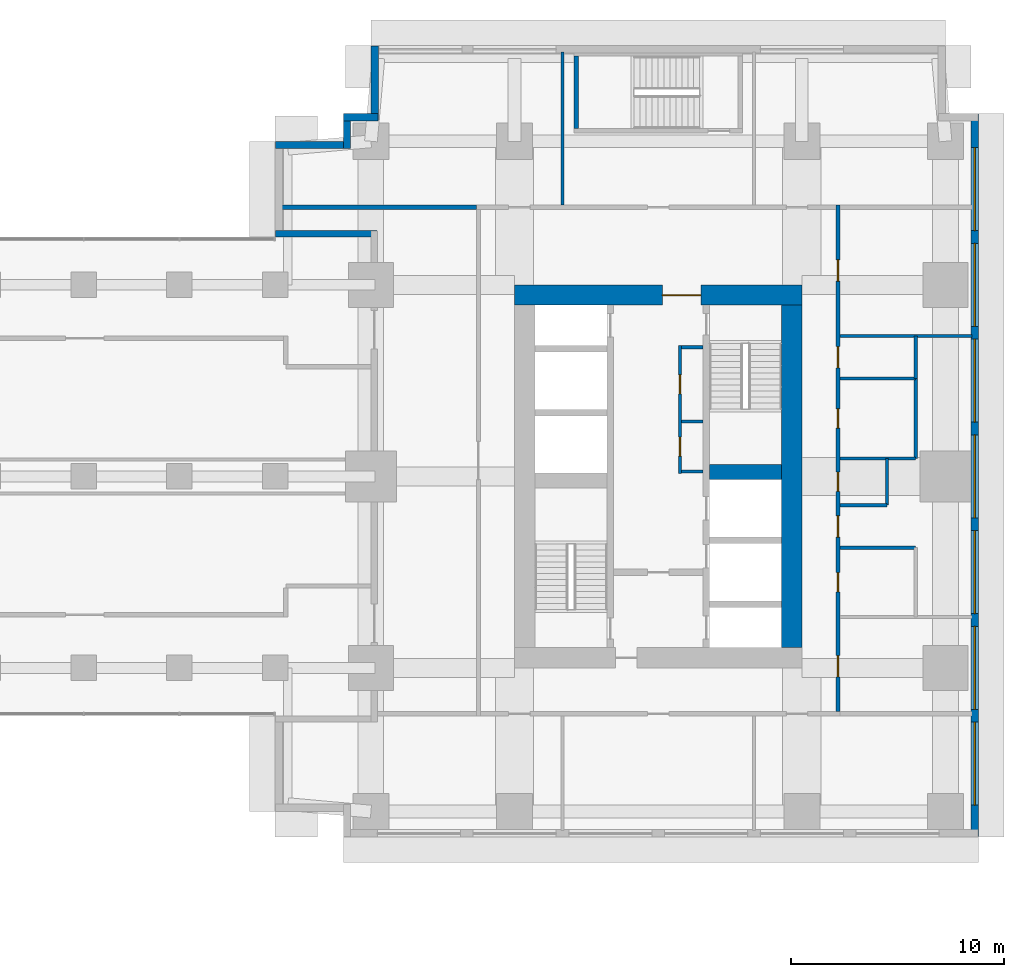
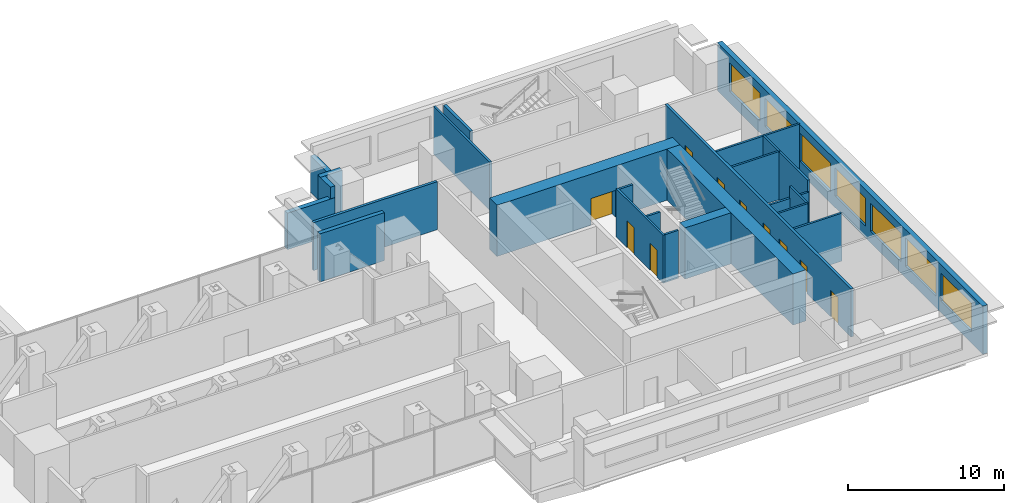
# One storey, part 11 of 15: 25 walls, 10 doors, 7 windows, 17 openings.
"""IFC4 building model written with IfcOpenShell, lengths in metres."""

from ifc_helpers import new_model, si_unit, direction, frame, frame_2d, origin, place, context, subcontext, project, spatial, rectangle, extrude, material, layer, layer_set, type_object, element, fill, save


model = new_model("IFC4")

# Units and contexts
model_context = context("Model", 3, precision=1e-05, world=origin(), true_north=direction((0.0, 1.0)))
body_context = subcontext(model_context, "Body", "Model", "MODEL_VIEW")
ifc_project = project(units=[si_unit("LENGTHUNIT", "METRE"), si_unit("AREAUNIT", "SQUARE_METRE"), si_unit("VOLUMEUNIT", "CUBIC_METRE"), si_unit("PLANEANGLEUNIT", "RADIAN"), si_unit("MASSUNIT", "GRAM", prefix="KILO")], contexts=[model_context])

# Site, building, storey
site_placement = place(None, origin())
site = spatial("IfcSite", under=ifc_project, at=site_placement, CompositionType="ELEMENT")
building_placement = place(site_placement, origin())
building = spatial("IfcBuilding", under=site, at=building_placement, Name="Namib Vertical Campus", CompositionType="ELEMENT")
storey_placement = place(building_placement, frame((0.0, 0.0, 109.0)))
storey = spatial("IfcBuildingStorey", under=building, at=storey_placement, Name="L25", CompositionType="ELEMENT", Elevation=109.0)

# Walls
ifc_material_1 = material(Name="Concrete C60/75", Category="concrete")
ifc_layer_1 = layer(ifc_material_1, 0.699951171875)
ifc_layer_set_1 = layer_set([ifc_layer_1], Name="Concrete C60/75")
wall_type_1 = type_object("IfcWallType", Name="Core shear wall 700", PredefinedType="SHEAR", material=ifc_layer_set_1)
wall_1_placement = place(storey_placement, frame((83.39990234375, 20.449951171875, 0.0), z_axis=(0.0, 0.0, 1.0), x_axis=(1.0, 0.0, 0.0)))
element("IfcWall", 1, at=wall_1_placement, inside=storey, type_object=wall_type_1, Name="Core shear wall B L25 W7", PredefinedType="SHEAR", context=body_context, shape_type="SweptSolid", body=[
    extrude(rectangle(XDim=3.400146484375, YDim=0.699951171875, at=frame_2d((1.7001953125, 0.0))), origin(), (0.0, 0.0, 1.0), 4.0),
])
ifc_material_2 = material(Name="Concrete C60/75", Category="concrete")
ifc_layer_2 = layer(ifc_material_2, 0.949951171875)
ifc_layer_set_2 = layer_set([ifc_layer_2], Name="Concrete C60/75")
wall_type_2 = type_object("IfcWallType", Name="Core wall 950", PredefinedType="SHEAR", material=ifc_layer_set_2)
wall_2_placement = place(storey_placement, frame((87.27490234375, 12.199951171875, 0.0), z_axis=(0.0, 0.0, 1.0), x_axis=(0.0, 1.0, 0.0)))
element("IfcWall", 2, at=wall_2_placement, inside=storey, type_object=wall_type_2, Name="Core wall B L25 2", PredefinedType="SHEAR", context=body_context, shape_type="SweptSolid", body=[
    extrude(rectangle(XDim=16.10009765625, YDim=0.949951171875, at=frame_2d((8.050048828125, 0.0))), origin(), (0.0, 0.0, 1.0), 4.0),
])

# Wall, opening, door
wall_3_placement = place(storey_placement, frame((87.75, 28.77490234375, 0.0), z_axis=(0.0, 0.0, 1.0), x_axis=(-1.0, 0.0, 0.0)))
wall_3 = element("IfcWall", 3, at=wall_3_placement, inside=storey, type_object=wall_type_2, Name="Core wall B L25 3", PredefinedType="SHEAR", context=body_context, shape_type="SweptSolid", body=[
    extrude(rectangle(XDim=13.5, YDim=0.949951171875, at=frame_2d((6.75, 0.0))), origin(), (0.0, 0.0, 1.0), 4.0),
])
opening_1_placement = place(wall_3_placement, frame((4.75, 0.0, 0.0)))
opening_1 = element("IfcOpeningElement", 4, at=opening_1_placement, cuts=wall_3, Name="Opening FD2", PredefinedType="OPENING", context=body_context, shape_type="SweptSolid", body=[
    extrude(rectangle(XDim=1.800048828125, YDim=2.10009765625, at=frame_2d((0.89990234375, 1.050048828125))), frame((0.0, 0.48486328125, 0.0), z_axis=(0.0, -1.0, 0.0), x_axis=(1.0, 0.0, 0.0)), (0.0, 0.0, 1.0), 0.969970703125),
])
ifc_material_3 = material(Name="Steel fire door", Category="steel")
door_type_1 = type_object("IfcDoorType", Name="Fire door double 1800x2100", OperationType="DOUBLE_DOOR_SINGLE_SWING", PredefinedType="DOOR", material=ifc_material_3)
door_1_placement = place(opening_1_placement, origin())
door_1 = element("IfcDoor", 5, at=door_1_placement, inside=storey, type_object=door_type_1, Name="Lift lobby door FD2 B L25", OperationType="DOUBLE_DOOR_SINGLE_SWING", OverallHeight=2.10009765625, OverallWidth=1.800048828125, PredefinedType="DOOR", context=body_context, shape_type="SweptSolid", body=[
    extrude(rectangle(XDim=1.800048828125, YDim=2.10009765625, at=frame_2d((0.89990234375, 1.050048828125))), frame((0.0, 0.02490234375, 0.0), z_axis=(0.0, -1.0, 0.0), x_axis=(1.0, 0.0, 0.0)), (0.0, 0.0, 1.0), 0.050048828125),
])
fill(opening_1, door_1)

# Wall, openings, doors
ifc_material_4 = material(Name="Concrete masonry", Category="masonry")
ifc_layer_3 = layer(ifc_material_4, 0.199951171875)
ifc_layer_set_3 = layer_set([ifc_layer_3], Name="Corridor wall 200")
wall_type_3 = type_object("IfcWallType", Name="Corridor wall 200", PredefinedType="SOLIDWALL", material=ifc_layer_set_3)
wall_4_placement = place(storey_placement, frame((89.449951171875, 9.199951171875, 0.0), z_axis=(0.0, 0.0, 1.0), x_axis=(0.0, 1.0, 0.0)))
wall_4 = element("IfcWall", 6, at=wall_4_placement, inside=storey, type_object=wall_type_3, Name="Corridor wall B L25 CE", PredefinedType="SOLIDWALL", context=body_context, shape_type="SweptSolid", body=[
    extrude(rectangle(XDim=23.800048828125, YDim=0.199951171875, at=frame_2d((11.89990234375, 0.0))), origin(), (0.0, 0.0, 1.0), 3.75),
])
opening_2_placement = place(wall_4_placement, frame((1.625, 0.0, 0.0)))
opening_2 = element("IfcOpeningElement", 7, at=opening_2_placement, cuts=wall_4, Name="Opening CD1", PredefinedType="OPENING", context=body_context, shape_type="SweptSolid", body=[
    extrude(rectangle(XDim=1.0, YDim=2.10009765625, at=frame_2d((0.5, 1.050048828125))), frame((0.0, 0.10986328125, 0.0), z_axis=(0.0, -1.0, 0.0), x_axis=(1.0, 0.0, 0.0)), (0.0, 0.0, 1.0), 0.219970703125),
])
opening_3_placement = place(wall_4_placement, frame((5.625, 0.0, 0.0)))
opening_3 = element("IfcOpeningElement", 8, at=opening_3_placement, cuts=wall_4, Name="Opening CD3", PredefinedType="OPENING", context=body_context, shape_type="SweptSolid", body=[
    extrude(rectangle(XDim=0.89990234375, YDim=2.10009765625, at=frame_2d((0.449951171875, 1.050048828125))), frame((0.0, 0.10986328125, 0.0), z_axis=(0.0, -1.0, 0.0), x_axis=(1.0, 0.0, 0.0)), (0.0, 0.0, 1.0), 0.219970703125),
])
opening_4_placement = place(wall_4_placement, frame((10.35009765625, 0.0, 0.0)))
opening_4 = element("IfcOpeningElement", 9, at=opening_4_placement, cuts=wall_4, Name="Opening CD3", PredefinedType="OPENING", context=body_context, shape_type="SweptSolid", body=[
    extrude(rectangle(XDim=0.89990234375, YDim=2.10009765625, at=frame_2d((0.449951171875, 1.050048828125))), frame((0.0, 0.10986328125, 0.0), z_axis=(0.0, -1.0, 0.0), x_axis=(1.0, 0.0, 0.0)), (0.0, 0.0, 1.0), 0.219970703125),
])
opening_5_placement = place(wall_4_placement, frame((13.324951171875, 0.0, 0.0)))
opening_5 = element("IfcOpeningElement", 10, at=opening_5_placement, cuts=wall_4, Name="Opening CD3", PredefinedType="OPENING", context=body_context, shape_type="SweptSolid", body=[
    extrude(rectangle(XDim=0.89990234375, YDim=2.10009765625, at=frame_2d((0.449951171875, 1.050048828125))), frame((0.0, 0.10986328125, 0.0), z_axis=(0.0, -1.0, 0.0), x_axis=(1.0, 0.0, 0.0)), (0.0, 0.0, 1.0), 0.219970703125),
])
opening_6_placement = place(wall_4_placement, frame((16.14990234375, 0.0, 0.0)))
opening_6 = element("IfcOpeningElement", 11, at=opening_6_placement, cuts=wall_4, Name="Opening CD1", PredefinedType="OPENING", context=body_context, shape_type="SweptSolid", body=[
    extrude(rectangle(XDim=1.0, YDim=2.10009765625, at=frame_2d((0.5, 1.050048828125))), frame((0.0, 0.10986328125, 0.0), z_axis=(0.0, -1.0, 0.0), x_axis=(1.0, 0.0, 0.0)), (0.0, 0.0, 1.0), 0.219970703125),
])
opening_7_placement = place(wall_4_placement, frame((8.199951171875, 0.0, 0.0)))
opening_7 = element("IfcOpeningElement", 12, at=opening_7_placement, cuts=wall_4, Name="Opening CD1", PredefinedType="OPENING", context=body_context, shape_type="SweptSolid", body=[
    extrude(rectangle(XDim=1.0, YDim=2.10009765625, at=frame_2d((0.5, 1.050048828125))), frame((0.0, 0.10986328125, 0.0), z_axis=(0.0, -1.0, 0.0), x_axis=(1.0, 0.0, 0.0)), (0.0, 0.0, 1.0), 0.219970703125),
])
opening_8_placement = place(wall_4_placement, frame((20.22509765625, 0.0, 0.0)))
opening_8 = element("IfcOpeningElement", 13, at=opening_8_placement, cuts=wall_4, Name="Opening CD1", PredefinedType="OPENING", context=body_context, shape_type="SweptSolid", body=[
    extrude(rectangle(XDim=1.0, YDim=2.10009765625, at=frame_2d((0.5, 1.050048828125))), frame((0.0, 0.10986328125, 0.0), z_axis=(0.0, -1.0, 0.0), x_axis=(1.0, 0.0, 0.0)), (0.0, 0.0, 1.0), 0.219970703125),
])
ifc_material_5 = material(Name="Timber fire door leaf", Category="wood")
door_type_2 = type_object("IfcDoorType", Name="Corridor door 1000x2100 20 min", OperationType="SINGLE_SWING_LEFT", PredefinedType="DOOR", material=ifc_material_5)
door_2_placement = place(opening_2_placement, frame((1.0, 0.0, 0.0), z_axis=(0.0, 0.0, 1.0), x_axis=(-1.0, 0.0, 0.0)))
door_2 = element("IfcDoor", 14, at=door_2_placement, inside=storey, type_object=door_type_2, Name="Door CD1 B25-04", OperationType="SINGLE_SWING_RIGHT", OverallHeight=2.10009765625, OverallWidth=1.0, PredefinedType="DOOR", context=body_context, shape_type="SweptSolid", body=[
    extrude(rectangle(XDim=1.0, YDim=2.10009765625, at=frame_2d((0.5, 1.050048828125))), frame((0.0, 0.02490234375, 0.0), z_axis=(0.0, -1.0, 0.0), x_axis=(1.0, 0.0, 0.0)), (0.0, 0.0, 1.0), 0.050048828125),
])
fill(opening_2, door_2)
door_3_placement = place(opening_6_placement, frame((1.0, 0.0, 0.0), z_axis=(0.0, 0.0, 1.0), x_axis=(-1.0, 0.0, 0.0)))
door_3 = element("IfcDoor", 15, at=door_3_placement, inside=storey, type_object=door_type_2, Name="Door CD1 B25-08", OperationType="SINGLE_SWING_RIGHT", OverallHeight=2.10009765625, OverallWidth=1.0, PredefinedType="DOOR", context=body_context, shape_type="SweptSolid", body=[
    extrude(rectangle(XDim=1.0, YDim=2.10009765625, at=frame_2d((0.5, 1.050048828125))), frame((0.0, 0.02490234375, 0.0), z_axis=(0.0, -1.0, 0.0), x_axis=(1.0, 0.0, 0.0)), (0.0, 0.0, 1.0), 0.050048828125),
])
fill(opening_6, door_3)
door_4_placement = place(opening_7_placement, frame((1.0, 0.0, 0.0), z_axis=(0.0, 0.0, 1.0), x_axis=(-1.0, 0.0, 0.0)))
door_4 = element("IfcDoor", 16, at=door_4_placement, inside=storey, type_object=door_type_2, Name="Door CD1 B25-09", OperationType="SINGLE_SWING_RIGHT", OverallHeight=2.10009765625, OverallWidth=1.0, PredefinedType="DOOR", context=body_context, shape_type="SweptSolid", body=[
    extrude(rectangle(XDim=1.0, YDim=2.10009765625, at=frame_2d((0.5, 1.050048828125))), frame((0.0, 0.02490234375, 0.0), z_axis=(0.0, -1.0, 0.0), x_axis=(1.0, 0.0, 0.0)), (0.0, 0.0, 1.0), 0.050048828125),
])
fill(opening_7, door_4)
door_5_placement = place(opening_8_placement, frame((1.0, 0.0, 0.0), z_axis=(0.0, 0.0, 1.0), x_axis=(-1.0, 0.0, 0.0)))
door_5 = element("IfcDoor", 17, at=door_5_placement, inside=storey, type_object=door_type_2, Name="Door CD1 B25-10", OperationType="SINGLE_SWING_RIGHT", OverallHeight=2.10009765625, OverallWidth=1.0, PredefinedType="DOOR", context=body_context, shape_type="SweptSolid", body=[
    extrude(rectangle(XDim=1.0, YDim=2.10009765625, at=frame_2d((0.5, 1.050048828125))), frame((0.0, 0.02490234375, 0.0), z_axis=(0.0, -1.0, 0.0), x_axis=(1.0, 0.0, 0.0)), (0.0, 0.0, 1.0), 0.050048828125),
])
fill(opening_8, door_5)
ifc_material_6 = material(Name="Timber fire door leaf", Category="wood")
door_type_3 = type_object("IfcDoorType", Name="Corridor toilet door 900x2100 20 min", OperationType="SINGLE_SWING_LEFT", PredefinedType="DOOR", material=ifc_material_6)
door_6_placement = place(opening_3_placement, frame((0.89990234375, 0.0, 0.0), z_axis=(0.0, 0.0, 1.0), x_axis=(-1.0, 0.0, 0.0)))
door_6 = element("IfcDoor", 18, at=door_6_placement, inside=storey, type_object=door_type_3, Name="Door CD3 B25-05", OperationType="SINGLE_SWING_RIGHT", OverallHeight=2.10009765625, OverallWidth=0.89990234375, PredefinedType="DOOR", context=body_context, shape_type="SweptSolid", body=[
    extrude(rectangle(XDim=0.89990234375, YDim=2.10009765625, at=frame_2d((0.449951171875, 1.050048828125))), frame((0.0, 0.02490234375, 0.0), z_axis=(0.0, -1.0, 0.0), x_axis=(1.0, 0.0, 0.0)), (0.0, 0.0, 1.0), 0.050048828125),
])
fill(opening_3, door_6)
door_7_placement = place(opening_4_placement, frame((0.89990234375, 0.0, 0.0), z_axis=(0.0, 0.0, 1.0), x_axis=(-1.0, 0.0, 0.0)))
door_7 = element("IfcDoor", 19, at=door_7_placement, inside=storey, type_object=door_type_3, Name="Door CD3 B25-06", OperationType="SINGLE_SWING_RIGHT", OverallHeight=2.10009765625, OverallWidth=0.89990234375, PredefinedType="DOOR", context=body_context, shape_type="SweptSolid", body=[
    extrude(rectangle(XDim=0.89990234375, YDim=2.10009765625, at=frame_2d((0.449951171875, 1.050048828125))), frame((0.0, 0.02490234375, 0.0), z_axis=(0.0, -1.0, 0.0), x_axis=(1.0, 0.0, 0.0)), (0.0, 0.0, 1.0), 0.050048828125),
])
fill(opening_4, door_7)
door_8_placement = place(opening_5_placement, frame((0.89990234375, 0.0, 0.0), z_axis=(0.0, 0.0, 1.0), x_axis=(-1.0, 0.0, 0.0)))
door_8 = element("IfcDoor", 20, at=door_8_placement, inside=storey, type_object=door_type_3, Name="Door CD3 B25-07", OperationType="SINGLE_SWING_RIGHT", OverallHeight=2.10009765625, OverallWidth=0.89990234375, PredefinedType="DOOR", context=body_context, shape_type="SweptSolid", body=[
    extrude(rectangle(XDim=0.89990234375, YDim=2.10009765625, at=frame_2d((0.449951171875, 1.050048828125))), frame((0.0, 0.02490234375, 0.0), z_axis=(0.0, -1.0, 0.0), x_axis=(1.0, 0.0, 0.0)), (0.0, 0.0, 1.0), 0.050048828125),
])
fill(opening_5, door_8)

# Wall
wall_5_placement = place(storey_placement, frame((63.300048828125, 32.89990234375, 0.0), z_axis=(0.0, 0.0, 1.0), x_axis=(1.0, 0.0, 0.0)))
element("IfcWall", 21, at=wall_5_placement, inside=storey, type_object=wall_type_3, Name="Partition B L25 BNW", PredefinedType="SOLIDWALL", context=body_context, shape_type="SweptSolid", body=[
    extrude(rectangle(XDim=9.14990234375, YDim=0.199951171875, at=frame_2d((4.574951171875, 0.0))), origin(), (0.0, 0.0, 1.0), 3.75),
])

# Wall, openings, windows
ifc_material_7 = material(Name="Concrete C40/50", Category="concrete")
ifc_layer_4 = layer(ifc_material_7, 0.35009765625)
ifc_layer_set_4 = layer_set([ifc_layer_4], Name="Concrete C40/50")
wall_type_4 = type_object("IfcWallType", Name="External wall 350 bush-hammered concrete", PredefinedType="STANDARD", material=ifc_layer_set_4)
wall_6_placement = place(storey_placement, frame((95.875, 3.320068359375, 0.0), z_axis=(0.0, 0.0, 1.0), x_axis=(0.0, 1.0, 0.0)))
wall_6 = element("IfcWall", 22, at=wall_6_placement, inside=storey, type_object=wall_type_4, Name="External wall L25 F05", PredefinedType="STANDARD", context=body_context, shape_type="SweptSolid", body=[
    extrude(rectangle(XDim=33.9599609375, YDim=0.35009765625, at=frame_2d((16.97998046875, 0.0))), origin(), (0.0, 0.0, 1.0), 3.75),
])
opening_9_placement = place(wall_6_placement, frame((1.47998046875, 0.0, 0.89990234375)))
opening_9 = element("IfcOpeningElement", 23, at=opening_9_placement, cuts=wall_6, Name="Opening W1", PredefinedType="OPENING", context=body_context, shape_type="SweptSolid", body=[
    extrude(rectangle(XDim=3.89990234375, YDim=2.199951171875, at=frame_2d((1.949951171875, 1.10009765625))), frame((0.0, 0.18505859375, 0.0), z_axis=(0.0, -1.0, 0.0), x_axis=(1.0, 0.0, 0.0)), (0.0, 0.0, 1.0), 0.3701171875),
])
opening_10_placement = place(wall_6_placement, frame((5.97998046875, 0.0, 0.89990234375)))
opening_10 = element("IfcOpeningElement", 24, at=opening_10_placement, cuts=wall_6, Name="Opening W1", PredefinedType="OPENING", context=body_context, shape_type="SweptSolid", body=[
    extrude(rectangle(XDim=3.89990234375, YDim=2.199951171875, at=frame_2d((1.949951171875, 1.10009765625))), frame((0.0, 0.18505859375, 0.0), z_axis=(0.0, -1.0, 0.0), x_axis=(1.0, 0.0, 0.0)), (0.0, 0.0, 1.0), 0.3701171875),
])
opening_11_placement = place(wall_6_placement, frame((10.47998046875, 0.0, 0.89990234375)))
opening_11 = element("IfcOpeningElement", 25, at=opening_11_placement, cuts=wall_6, Name="Opening W1", PredefinedType="OPENING", context=body_context, shape_type="SweptSolid", body=[
    extrude(rectangle(XDim=3.89990234375, YDim=2.199951171875, at=frame_2d((1.949951171875, 1.10009765625))), frame((0.0, 0.18505859375, 0.0), z_axis=(0.0, -1.0, 0.0), x_axis=(1.0, 0.0, 0.0)), (0.0, 0.0, 1.0), 0.3701171875),
])
opening_12_placement = place(wall_6_placement, frame((14.97998046875, 0.0, 0.89990234375)))
opening_12 = element("IfcOpeningElement", 26, at=opening_12_placement, cuts=wall_6, Name="Opening W1", PredefinedType="OPENING", context=body_context, shape_type="SweptSolid", body=[
    extrude(rectangle(XDim=3.89990234375, YDim=2.199951171875, at=frame_2d((1.949951171875, 1.10009765625))), frame((0.0, 0.18505859375, 0.0), z_axis=(0.0, -1.0, 0.0), x_axis=(1.0, 0.0, 0.0)), (0.0, 0.0, 1.0), 0.3701171875),
])
opening_13_placement = place(wall_6_placement, frame((19.47998046875, 0.0, 0.89990234375)))
opening_13 = element("IfcOpeningElement", 27, at=opening_13_placement, cuts=wall_6, Name="Opening W1", PredefinedType="OPENING", context=body_context, shape_type="SweptSolid", body=[
    extrude(rectangle(XDim=3.89990234375, YDim=2.199951171875, at=frame_2d((1.949951171875, 1.10009765625))), frame((0.0, 0.18505859375, 0.0), z_axis=(0.0, -1.0, 0.0), x_axis=(1.0, 0.0, 0.0)), (0.0, 0.0, 1.0), 0.3701171875),
])
opening_14_placement = place(wall_6_placement, frame((23.97998046875, 0.0, 0.89990234375)))
opening_14 = element("IfcOpeningElement", 28, at=opening_14_placement, cuts=wall_6, Name="Opening W1", PredefinedType="OPENING", context=body_context, shape_type="SweptSolid", body=[
    extrude(rectangle(XDim=3.89990234375, YDim=2.199951171875, at=frame_2d((1.949951171875, 1.10009765625))), frame((0.0, 0.18505859375, 0.0), z_axis=(0.0, -1.0, 0.0), x_axis=(1.0, 0.0, 0.0)), (0.0, 0.0, 1.0), 0.3701171875),
])
opening_15_placement = place(wall_6_placement, frame((28.47998046875, 0.0, 0.89990234375)))
opening_15 = element("IfcOpeningElement", 29, at=opening_15_placement, cuts=wall_6, Name="Opening W1", PredefinedType="OPENING", context=body_context, shape_type="SweptSolid", body=[
    extrude(rectangle(XDim=3.89990234375, YDim=2.199951171875, at=frame_2d((1.949951171875, 1.10009765625))), frame((0.0, 0.18505859375, 0.0), z_axis=(0.0, -1.0, 0.0), x_axis=(1.0, 0.0, 0.0)), (0.0, 0.0, 1.0), 0.3701171875),
])
ifc_material_8 = material(Name="Dark tinted glass in black aluminium frame", Category="aluminium")
window_type = type_object("IfcWindowType", Name="Ribbon window 3900x2200", PartitioningType="SINGLE_PANEL", PredefinedType="WINDOW", material=ifc_material_8)
window_1_placement = place(opening_9_placement, origin())
window_1 = element("IfcWindow", 30, at=window_1_placement, inside=storey, type_object=window_type, Name="Window W1 L25 F05-1", OverallHeight=2.199951171875, OverallWidth=3.89990234375, PartitioningType="SINGLE_PANEL", PredefinedType="WINDOW", context=body_context, shape_type="SweptSolid", body=[
    extrude(rectangle(XDim=3.89990234375, YDim=2.199951171875, at=frame_2d((1.949951171875, 1.10009765625))), frame((0.0, 0.030029296875, 0.0), z_axis=(0.0, -1.0, 0.0), x_axis=(1.0, 0.0, 0.0)), (0.0, 0.0, 1.0), 0.06005859375),
])
fill(opening_9, window_1)
window_2_placement = place(opening_10_placement, origin())
window_2 = element("IfcWindow", 31, at=window_2_placement, inside=storey, type_object=window_type, Name="Window W1 L25 F05-2", OverallHeight=2.199951171875, OverallWidth=3.89990234375, PartitioningType="SINGLE_PANEL", PredefinedType="WINDOW", context=body_context, shape_type="SweptSolid", body=[
    extrude(rectangle(XDim=3.89990234375, YDim=2.199951171875, at=frame_2d((1.949951171875, 1.10009765625))), frame((0.0, 0.030029296875, 0.0), z_axis=(0.0, -1.0, 0.0), x_axis=(1.0, 0.0, 0.0)), (0.0, 0.0, 1.0), 0.06005859375),
])
fill(opening_10, window_2)
window_3_placement = place(opening_11_placement, origin())
window_3 = element("IfcWindow", 32, at=window_3_placement, inside=storey, type_object=window_type, Name="Window W1 L25 F05-3", OverallHeight=2.199951171875, OverallWidth=3.89990234375, PartitioningType="SINGLE_PANEL", PredefinedType="WINDOW", context=body_context, shape_type="SweptSolid", body=[
    extrude(rectangle(XDim=3.89990234375, YDim=2.199951171875, at=frame_2d((1.949951171875, 1.10009765625))), frame((0.0, 0.030029296875, 0.0), z_axis=(0.0, -1.0, 0.0), x_axis=(1.0, 0.0, 0.0)), (0.0, 0.0, 1.0), 0.06005859375),
])
fill(opening_11, window_3)
window_4_placement = place(opening_12_placement, origin())
window_4 = element("IfcWindow", 33, at=window_4_placement, inside=storey, type_object=window_type, Name="Window W1 L25 F05-4", OverallHeight=2.199951171875, OverallWidth=3.89990234375, PartitioningType="SINGLE_PANEL", PredefinedType="WINDOW", context=body_context, shape_type="SweptSolid", body=[
    extrude(rectangle(XDim=3.89990234375, YDim=2.199951171875, at=frame_2d((1.949951171875, 1.10009765625))), frame((0.0, 0.030029296875, 0.0), z_axis=(0.0, -1.0, 0.0), x_axis=(1.0, 0.0, 0.0)), (0.0, 0.0, 1.0), 0.06005859375),
])
fill(opening_12, window_4)
window_5_placement = place(opening_13_placement, origin())
window_5 = element("IfcWindow", 34, at=window_5_placement, inside=storey, type_object=window_type, Name="Window W1 L25 F05-5", OverallHeight=2.199951171875, OverallWidth=3.89990234375, PartitioningType="SINGLE_PANEL", PredefinedType="WINDOW", context=body_context, shape_type="SweptSolid", body=[
    extrude(rectangle(XDim=3.89990234375, YDim=2.199951171875, at=frame_2d((1.949951171875, 1.10009765625))), frame((0.0, 0.030029296875, 0.0), z_axis=(0.0, -1.0, 0.0), x_axis=(1.0, 0.0, 0.0)), (0.0, 0.0, 1.0), 0.06005859375),
])
fill(opening_13, window_5)
window_6_placement = place(opening_14_placement, origin())
window_6 = element("IfcWindow", 35, at=window_6_placement, inside=storey, type_object=window_type, Name="Window W1 L25 F05-6", OverallHeight=2.199951171875, OverallWidth=3.89990234375, PartitioningType="SINGLE_PANEL", PredefinedType="WINDOW", context=body_context, shape_type="SweptSolid", body=[
    extrude(rectangle(XDim=3.89990234375, YDim=2.199951171875, at=frame_2d((1.949951171875, 1.10009765625))), frame((0.0, 0.030029296875, 0.0), z_axis=(0.0, -1.0, 0.0), x_axis=(1.0, 0.0, 0.0)), (0.0, 0.0, 1.0), 0.06005859375),
])
fill(opening_14, window_6)
window_7_placement = place(opening_15_placement, origin())
window_7 = element("IfcWindow", 36, at=window_7_placement, inside=storey, type_object=window_type, Name="Window W1 L25 F05-7", OverallHeight=2.199951171875, OverallWidth=3.89990234375, PartitioningType="SINGLE_PANEL", PredefinedType="WINDOW", context=body_context, shape_type="SweptSolid", body=[
    extrude(rectangle(XDim=3.89990234375, YDim=2.199951171875, at=frame_2d((1.949951171875, 1.10009765625))), frame((0.0, 0.030029296875, 0.0), z_axis=(0.0, -1.0, 0.0), x_axis=(1.0, 0.0, 0.0)), (0.0, 0.0, 1.0), 0.06005859375),
])
fill(opening_15, window_7)

# Walls
wall_7_placement = place(storey_placement, frame((67.675048828125, 40.47998046875, 0.0), z_axis=(0.0, 0.0, 1.0), x_axis=(0.0, -1.0, 0.0)))
element("IfcWall", 37, at=wall_7_placement, inside=storey, type_object=wall_type_4, Name="External wall L25 F09", PredefinedType="STANDARD", context=body_context, shape_type="SweptSolid", body=[
    extrude(rectangle(XDim=3.510009765625, YDim=0.35009765625, at=frame_2d((1.7548828125, 0.0))), origin(), (0.0, 0.0, 1.0), 2.85009765625),
])
for number, where, z_axis, x_axis, name in (
    (38, (67.830078125, 37.125, 0.0), (0.0, 0.0, 1.0), (-1.0, 0.0, 0.0), "External wall L25 F10"),
    (39, (66.375, 37.280029296875, 0.0), (0.0, 0.0, 1.0), (0.0, -1.0, 0.0), "External wall L25 F11"),
):
    element("IfcWall", number, at=place(storey_placement, frame(where, z_axis=z_axis, x_axis=x_axis)), inside=storey, type_object=wall_type_4, Name=name, PredefinedType="STANDARD", context=body_context, shape_type="SweptSolid", body=[
        extrude(rectangle(XDim=1.610107421875, YDim=0.35009765625, at=frame_2d((0.80517578125, 0.0))), origin(), (0.0, 0.0, 1.0), 3.75),
    ])
wall_8_placement = place(storey_placement, frame((66.530029296875, 35.824951171875, 0.0), z_axis=(0.0, 0.0, 1.0), x_axis=(-1.0, 0.0, 0.0)))
element("IfcWall", 40, at=wall_8_placement, inside=storey, type_object=wall_type_4, Name="External wall L25 F12", PredefinedType="STANDARD", context=body_context, shape_type="SweptSolid", body=[
    extrude(rectangle(XDim=3.510009765625, YDim=0.35009765625, at=frame_2d((1.7548828125, 0.0))), origin(), (0.0, 0.0, 1.0), 2.85009765625),
])
ifc_material_9 = material(Name="Concrete masonry", Category="masonry")
ifc_layer_5 = layer(ifc_material_9, 0.300048828125)
ifc_layer_set_5 = layer_set([ifc_layer_5], Name="Fire wall 300")
wall_type_5 = type_object("IfcWallType", Name="Fire wall 300", PredefinedType="SOLIDWALL", material=ifc_layer_set_5)
wall_9_placement = place(storey_placement, frame((63.02001953125, 31.64990234375, 0.0), z_axis=(0.0, 0.0, 1.0), x_axis=(1.0, 0.0, 0.0)))
element("IfcWall", 41, at=wall_9_placement, inside=storey, type_object=wall_type_5, Name="External wall L25 F14", PredefinedType="SOLIDWALL", context=body_context, shape_type="SweptSolid", body=[
    extrude(rectangle(XDim=4.760009765625, YDim=0.300048828125, at=frame_2d((2.3798828125, 0.0))), origin(), (0.0, 0.0, 1.0), 3.75),
])

# Wall, openings, doors
ifc_material_10 = material(Name="Gypsum board on steel studs", Category="steel")
ifc_layer_6 = layer(ifc_material_10, 0.14990234375)
ifc_layer_set_6 = layer_set([ifc_layer_6], Name="Gypsum board on steel studs")
wall_type_6 = type_object("IfcWallType", Name="Partition 150", PredefinedType="PARTITIONING", material=ifc_layer_set_6)
wall_10_placement = place(storey_placement, frame((82.02490234375, 20.39990234375, 0.0), z_axis=(0.0, 0.0, 1.0), x_axis=(0.0, 1.0, 0.0)))
wall_10 = element("IfcWall", 42, at=wall_10_placement, inside=storey, type_object=wall_type_6, Name="Partition B L25 Cleaners' store and Tea point front", PredefinedType="PARTITIONING", context=body_context, shape_type="SweptSolid", body=[
    extrude(rectangle(XDim=6.0, YDim=0.14990234375, at=frame_2d((3.0, 0.0))), origin(), (0.0, 0.0, 1.0), 3.75),
])
opening_16_placement = place(wall_10_placement, frame((0.800048828125, 0.0, 0.0)))
opening_16 = element("IfcOpeningElement", 43, at=opening_16_placement, cuts=wall_10, Name="Opening D3", PredefinedType="OPENING", context=body_context, shape_type="SweptSolid", body=[
    extrude(rectangle(XDim=0.89990234375, YDim=2.10009765625, at=frame_2d((0.449951171875, 1.050048828125))), frame((0.0, 0.0849609375, 0.0), z_axis=(0.0, -1.0, 0.0), x_axis=(1.0, 0.0, 0.0)), (0.0, 0.0, 1.0), 0.169921875),
])
opening_17_placement = place(wall_10_placement, frame((3.72509765625, 0.0, 0.0)))
opening_17 = element("IfcOpeningElement", 44, at=opening_17_placement, cuts=wall_10, Name="Opening D3", PredefinedType="OPENING", context=body_context, shape_type="SweptSolid", body=[
    extrude(rectangle(XDim=0.89990234375, YDim=2.10009765625, at=frame_2d((0.449951171875, 1.050048828125))), frame((0.0, 0.0849609375, 0.0), z_axis=(0.0, -1.0, 0.0), x_axis=(1.0, 0.0, 0.0)), (0.0, 0.0, 1.0), 0.169921875),
])
ifc_material_11 = material(Name="Timber door leaf", Category="wood")
door_type_4 = type_object("IfcDoorType", Name="Toilet door 900x2100", OperationType="SINGLE_SWING_LEFT", PredefinedType="DOOR", material=ifc_material_11)
door_9_placement = place(opening_16_placement, frame((0.89990234375, 0.0, 0.0), z_axis=(0.0, 0.0, 1.0), x_axis=(-1.0, 0.0, 0.0)))
door_9 = element("IfcDoor", 45, at=door_9_placement, inside=storey, type_object=door_type_4, Name="Door D3 Cleaners' store B L25", OperationType="SINGLE_SWING_RIGHT", OverallHeight=2.10009765625, OverallWidth=0.89990234375, PredefinedType="DOOR", context=body_context, shape_type="SweptSolid", body=[
    extrude(rectangle(XDim=0.89990234375, YDim=2.10009765625, at=frame_2d((0.449951171875, 1.050048828125))), frame((0.0, 0.02490234375, 0.0), z_axis=(0.0, -1.0, 0.0), x_axis=(1.0, 0.0, 0.0)), (0.0, 0.0, 1.0), 0.050048828125),
])
fill(opening_16, door_9)
door_10_placement = place(opening_17_placement, frame((0.89990234375, 0.0, 0.0), z_axis=(0.0, 0.0, 1.0), x_axis=(-1.0, 0.0, 0.0)))
door_10 = element("IfcDoor", 46, at=door_10_placement, inside=storey, type_object=door_type_4, Name="Door D3 Tea point B L25", OperationType="SINGLE_SWING_RIGHT", OverallHeight=2.10009765625, OverallWidth=0.89990234375, PredefinedType="DOOR", context=body_context, shape_type="SweptSolid", body=[
    extrude(rectangle(XDim=0.89990234375, YDim=2.10009765625, at=frame_2d((0.449951171875, 1.050048828125))), frame((0.0, 0.02490234375, 0.0), z_axis=(0.0, -1.0, 0.0), x_axis=(1.0, 0.0, 0.0)), (0.0, 0.0, 1.0), 0.050048828125),
])
fill(opening_17, door_10)

# Walls
for number, where, z_axis, x_axis, name in (
    (47, (82.10009765625, 20.47509765625, 0.0), (0.0, 0.0, 1.0), (1.0, 0.0, 0.0), "Partition B L25 Cleaners' store and Tea point end 1"),
    (48, (82.10009765625, 22.824951171875, 0.0), (0.0, 0.0, 1.0), (1.0, 0.0, 0.0), "Partition B L25 Cleaners' store and Tea point division 2"),
    (49, (82.10009765625, 26.324951171875, 0.0), (0.0, 0.0, 1.0), (1.0, 0.0, 0.0), "Partition B L25 Cleaners' store and Tea point end 3"),
):
    element("IfcWall", number, at=place(storey_placement, frame(where, z_axis=z_axis, x_axis=x_axis)), inside=storey, type_object=wall_type_6, Name=name, PredefinedType="PARTITIONING", context=body_context, shape_type="SweptSolid", body=[
        extrude(rectangle(XDim=1.0, YDim=0.14990234375, at=frame_2d((0.5, 0.0))), origin(), (0.0, 0.0, 1.0), 3.75),
    ])
wall_11_placement = place(storey_placement, frame((76.5, 33.0, 0.0), z_axis=(0.0, 0.0, 1.0), x_axis=(0.0, 1.0, 0.0)))
element("IfcWall", 50, at=wall_11_placement, inside=storey, type_object=wall_type_6, Name="Partition B L25 PN1", PredefinedType="PARTITIONING", context=body_context, shape_type="SweptSolid", body=[
    extrude(rectangle(XDim=7.199951171875, YDim=0.14990234375, at=frame_2d((3.60009765625, 0.0))), origin(), (0.0, 0.0, 1.0), 3.75),
])
wall_12_placement = place(storey_placement, frame((89.550048828125, 26.85009765625, 0.0), z_axis=(0.0, 0.0, 1.0), x_axis=(1.0, 0.0, 0.0)))
element("IfcWall", 51, at=wall_12_placement, inside=storey, type_object=wall_type_6, Name="Partition B L25 PE2", PredefinedType="PARTITIONING", context=body_context, shape_type="SweptSolid", body=[
    extrude(rectangle(XDim=6.199951171875, YDim=0.14990234375, at=frame_2d((3.10009765625, 0.0))), origin(), (0.0, 0.0, 1.0), 3.75),
])
wall_13_placement = place(storey_placement, frame((89.550048828125, 16.89990234375, 0.0), z_axis=(0.0, 0.0, 1.0), x_axis=(1.0, 0.0, 0.0)))
element("IfcWall", 52, at=wall_13_placement, inside=storey, type_object=wall_type_6, Name="Partition B L25 WR1", PredefinedType="PARTITIONING", context=body_context, shape_type="SweptSolid", body=[
    extrude(rectangle(XDim=3.550048828125, YDim=0.14990234375, at=frame_2d((1.77490234375, 0.0))), origin(), (0.0, 0.0, 1.0), 3.75),
])
wall_14_placement = place(storey_placement, frame((89.550048828125, 18.89990234375, 0.0), z_axis=(0.0, 0.0, 1.0), x_axis=(1.0, 0.0, 0.0)))
element("IfcWall", 53, at=wall_14_placement, inside=storey, type_object=wall_type_6, Name="Partition B L25 WR2", PredefinedType="PARTITIONING", context=body_context, shape_type="SweptSolid", body=[
    extrude(rectangle(XDim=2.199951171875, YDim=0.14990234375, at=frame_2d((1.10009765625, 0.0))), origin(), (0.0, 0.0, 1.0), 3.75),
])
wall_15_placement = place(storey_placement, frame((89.550048828125, 21.10009765625, 0.0), z_axis=(0.0, 0.0, 1.0), x_axis=(1.0, 0.0, 0.0)))
element("IfcWall", 54, at=wall_15_placement, inside=storey, type_object=wall_type_6, Name="Partition B L25 WR3", PredefinedType="PARTITIONING", context=body_context, shape_type="SweptSolid", body=[
    extrude(rectangle(XDim=3.550048828125, YDim=0.14990234375, at=frame_2d((1.77490234375, 0.0))), origin(), (0.0, 0.0, 1.0), 2.85009765625),
])
wall_16_placement = place(storey_placement, frame((89.550048828125, 24.85009765625, 0.0), z_axis=(0.0, 0.0, 1.0), x_axis=(1.0, 0.0, 0.0)))
element("IfcWall", 55, at=wall_16_placement, inside=storey, type_object=wall_type_6, Name="Partition B L25 WR4", PredefinedType="PARTITIONING", context=body_context, shape_type="SweptSolid", body=[
    extrude(rectangle(XDim=3.550048828125, YDim=0.14990234375, at=frame_2d((1.77490234375, 0.0))), origin(), (0.0, 0.0, 1.0), 3.75),
])
wall_17_placement = place(storey_placement, frame((91.75, 18.89990234375, 0.0), z_axis=(0.0, 0.0, 1.0), x_axis=(0.0, 1.0, 0.0)))
element("IfcWall", 56, at=wall_17_placement, inside=storey, type_object=wall_type_6, Name="Partition B L25 WB2", PredefinedType="PARTITIONING", context=body_context, shape_type="SweptSolid", body=[
    extrude(rectangle(XDim=2.2001953125, YDim=0.14990234375, at=frame_2d((1.10009765625, 0.0))), origin(), (0.0, 0.0, 1.0), 3.75),
])
wall_18_placement = place(storey_placement, frame((93.10009765625, 21.10009765625, 0.0), z_axis=(0.0, 0.0, 1.0), x_axis=(0.0, 1.0, 0.0)))
element("IfcWall", 57, at=wall_18_placement, inside=storey, type_object=wall_type_6, Name="Partition B L25 WB3", PredefinedType="PARTITIONING", context=body_context, shape_type="SweptSolid", body=[
    extrude(rectangle(XDim=3.75, YDim=0.14990234375, at=frame_2d((1.875, 0.0))), origin(), (0.0, 0.0, 1.0), 3.75),
])
wall_19_placement = place(storey_placement, frame((93.10009765625, 24.85009765625, 0.0), z_axis=(0.0, 0.0, 1.0), x_axis=(0.0, 1.0, 0.0)))
element("IfcWall", 58, at=wall_19_placement, inside=storey, type_object=wall_type_6, Name="Partition B L25 WB4", PredefinedType="PARTITIONING", context=body_context, shape_type="SweptSolid", body=[
    extrude(rectangle(XDim=2.0, YDim=0.14990234375, at=frame_2d((1.0, 0.0))), origin(), (0.0, 0.0, 1.0), 3.75),
])
ifc_material_12 = material(Name="Concrete C40/50", Category="concrete")
ifc_layer_7 = layer(ifc_material_12, 0.199951171875)
ifc_layer_set_7 = layer_set([ifc_layer_7], Name="Concrete C40/50")
wall_type_7 = type_object("IfcWallType", Name="Stair enclosure wall RC 200", PredefinedType="SOLIDWALL", material=ifc_layer_set_7)
wall_20_placement = place(storey_placement, frame((77.14990234375, 36.60009765625, 0.0), z_axis=(0.0, 0.0, 1.0), x_axis=(0.0, 1.0, 0.0)))
element("IfcWall", 59, at=wall_20_placement, inside=storey, type_object=wall_type_7, Name="Stair enclosure wall B-S3 L25 W", PredefinedType="SOLIDWALL", context=body_context, shape_type="SweptSolid", body=[
    extrude(rectangle(XDim=3.39990234375, YDim=0.199951171875, at=frame_2d((1.699951171875, 0.0))), origin(), (0.0, 0.0, 1.0), 3.75),
])

save(model, "model.ifc")
